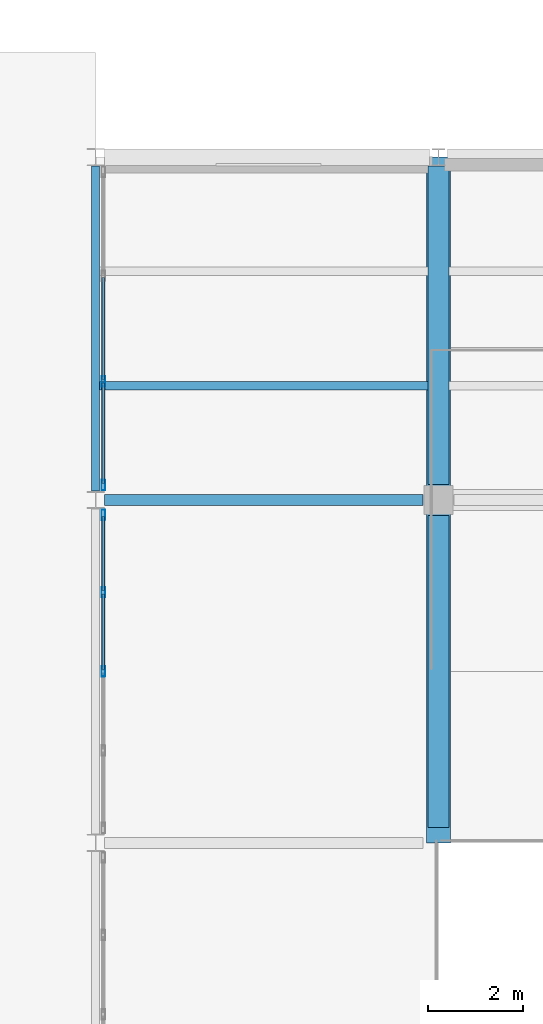
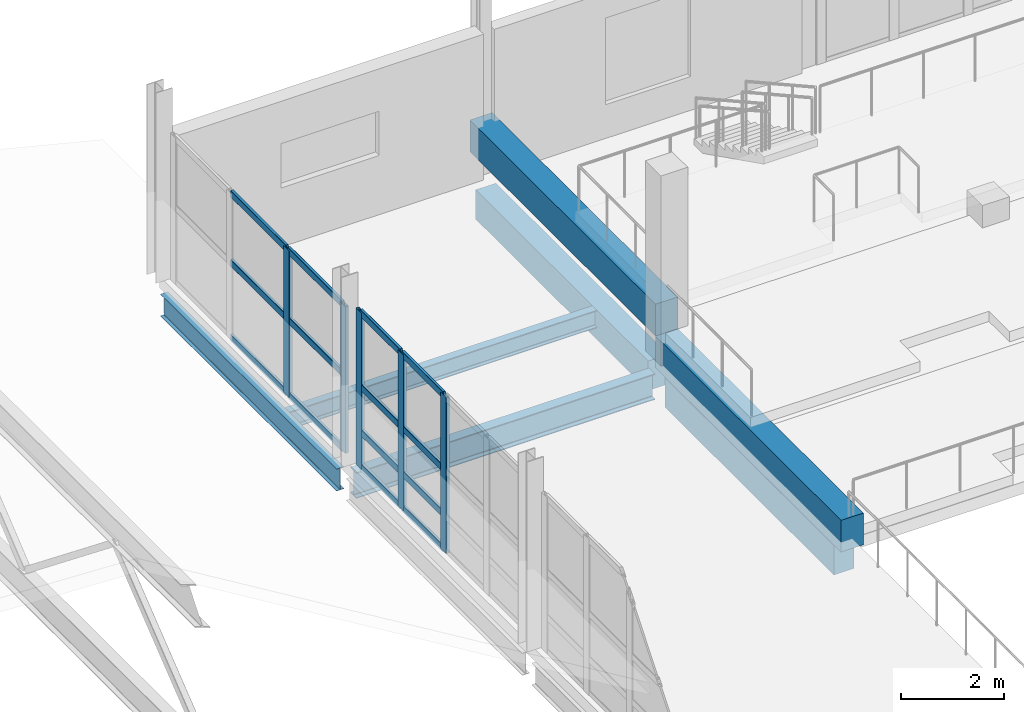
# One storey, part 39 of 123: 19 members, 7 beams, 2 elements without a shape of their own.
"""IFC4 building model written with IfcOpenShell, lengths in metres."""

from ifc_helpers import new_model, si_unit, direction, frame, origin, origin_2d, place, context, subcontext, project, spatial, rectangle, hollow_rectangle, i_section, extrude, material, material_profile, profile_set, type_object, element, aggregate, save


model = new_model("IFC4")

# Units and contexts
model_context = context("Model", 3, precision=1e-05, world=origin(), true_north=direction((0.0, 1.0)))
body_context = subcontext(model_context, "Body", "Model", "MODEL_VIEW")
ifc_project = project(units=[si_unit("LENGTHUNIT", "METRE"), si_unit("AREAUNIT", "SQUARE_METRE"), si_unit("VOLUMEUNIT", "CUBIC_METRE"), si_unit("PLANEANGLEUNIT", "RADIAN"), si_unit("MASSUNIT", "GRAM", prefix="KILO")], contexts=[model_context])

# Site, building, storey
site_placement = place(None, origin())
site = spatial("IfcSite", under=ifc_project, at=site_placement, CompositionType="ELEMENT")
building_placement = place(site_placement, origin())
building = spatial("IfcBuilding", under=site, at=building_placement, Name="Kalmorath City Hall", CompositionType="ELEMENT")
storey_placement = place(building_placement, frame((0.0, 0.0, 10.199951171875)))
storey = spatial("IfcBuildingStorey", under=building, at=storey_placement, Name="L02", CompositionType="ELEMENT", Elevation=10.199951171875)

# Beams
ifc_material_1 = material(Name="Concrete C40/50", Category="concrete")
ifc_material_profile_1 = material_profile(ifc_material_1, rectangle(XDim=0.449951171875, YDim=0.699951171875, at=origin_2d()), Name="RC-BM-450X700")
ifc_profile_set_1 = profile_set([ifc_material_profile_1], Name="Concrete C40/50")
beam_type_1 = type_object("IfcBeamType", Name="Concrete floor beam 450x700", PredefinedType="BEAM", material=ifc_profile_set_1)
beam_1_placement = place(storey_placement, frame((122.39990234375, 29.125, -0.634033203125), z_axis=(0.0, 1.0, 0.0), x_axis=(-1.0, 0.0, 0.0)))
element("IfcBeam", 1, at=beam_1_placement, inside=storey, type_object=beam_type_1, Name="L02 girder CB4 Y18/5-6", PredefinedType="BEAM", context=body_context, shape_type="SweptSolid", body=[
    extrude(rectangle(XDim=0.449951171875, YDim=0.699951171875, at=origin_2d()), origin(), (0.0, 0.0, 1.0), 6.550048828125),
])
beam_2_placement = place(storey_placement, frame((122.39990234375, 36.324951171875, -0.634033203125), z_axis=(0.0, 1.0, 0.0), x_axis=(-1.0, 0.0, 0.0)))
element("IfcBeam", 2, at=beam_2_placement, inside=storey, type_object=beam_type_1, Name="L02 girder CB4 Y18/6-7", PredefinedType="BEAM", context=body_context, shape_type="SweptSolid", body=[
    extrude(rectangle(XDim=0.449951171875, YDim=0.699951171875, at=origin_2d()), origin(), (0.0, 0.0, 1.0), 6.68896484375),
])
ifc_material_2 = material(Name="Concrete C40/50", Category="concrete")
ifc_material_profile_2 = material_profile(ifc_material_2, rectangle(XDim=0.5, YDim=0.75, at=origin_2d()), Name="RC-BM-500X750")
ifc_profile_set_2 = profile_set([ifc_material_profile_2], Name="Concrete C40/50")
beam_type_2 = type_object("IfcBeamType", Name="Concrete floor beam 500x750", PredefinedType="BEAM", material=ifc_profile_set_2)
for number, where, z_axis, x_axis, name in (
    (3, (122.39990234375, 28.800048828125, 0.14013671875), (0.0, 1.0, 0.0), (-1.0, 0.0, 0.0), "L02 gallery raker beam T2 122"),
    (4, (122.39990234375, 36.0, 0.89013671875), (0.0, 1.0, 0.0), (-1.0, 0.0, 0.0), "L02 gallery raker beam T3 122"),
):
    element("IfcBeam", number, at=place(storey_placement, frame(where, z_axis=z_axis, x_axis=x_axis)), inside=storey, type_object=beam_type_2, Name=name, PredefinedType="BEAM", context=body_context, shape_type="SweptSolid", body=[
        extrude(rectangle(XDim=0.5, YDim=0.75, at=origin_2d()), origin(), (0.0, 0.0, 1.0), 7.199951171875),
    ])

# Curtain wall, members
ifc_material_3 = material(Name="Anodised aluminium and laminated glass", Category="aluminium")
curtain_wall_type_1 = type_object("IfcCurtainWallType", Name="Unitised hurricane curtain wall 6651x3696 M1500", PredefinedType="NOTDEFINED", material=ifc_material_3)
curtain_wall_1_placement = place(storey_placement, origin())
curtain_wall_1 = element("IfcCurtainWall", 5, at=curtain_wall_1_placement, inside=storey, type_object=curtain_wall_type_1, Name="L02 curtain wall CW-67X37M15 #122", PredefinedType="NOTDEFINED")
ifc_material_4 = material(Name="Anodised aluminium framing", Category="aluminium")
ifc_material_profile_3 = material_profile(ifc_material_4, hollow_rectangle(XDim=0.074951171875, YDim=0.219970703125, WallThickness=0.00390625, InnerFilletRadius=0.00390625, OuterFilletRadius=0.008056640625, at=origin_2d()), Name="ALU-MUL-220X75X4")
ifc_profile_set_3 = profile_set([ifc_material_profile_3], Name="Anodised aluminium framing")
member_type_1 = type_object("IfcMemberType", Name="Curtain-wall primary mullion 220x75", PredefinedType="MULLION", material=ifc_profile_set_3)
member_1_placement = place(storey_placement, frame((115.360107421875, 32.39990234375, 0.0), z_axis=(0.0, 0.0, 1.0), x_axis=(-1.0, 0.0, 0.0)))
member_1 = element("IfcMember", 6, at=member_1_placement, type_object=member_type_1, Name="CW-67X37M15 mullion 3", PredefinedType="MULLION", context=body_context, shape_type="SweptSolid", body=[
    extrude(hollow_rectangle(XDim=0.074951171875, YDim=0.219970703125, WallThickness=0.00390625, InnerFilletRadius=0.00390625, OuterFilletRadius=0.008056640625, at=origin_2d()), origin(), (0.0, 0.0, 1.0), 3.696044921875),
])
member_2_placement = place(storey_placement, frame((115.360107421875, 34.062744140625, 0.0), z_axis=(0.0, 0.0, 1.0), x_axis=(-1.0, 0.0, 0.0)))
member_2 = element("IfcMember", 7, at=member_2_placement, type_object=member_type_1, Name="CW-67X37M15 mullion 4", PredefinedType="MULLION", context=body_context, shape_type="SweptSolid", body=[
    extrude(hollow_rectangle(XDim=0.074951171875, YDim=0.219970703125, WallThickness=0.00390625, InnerFilletRadius=0.00390625, OuterFilletRadius=0.008056640625, at=origin_2d()), origin(), (0.0, 0.0, 1.0), 3.696044921875),
])
member_3_placement = place(storey_placement, frame((115.360107421875, 35.68798828125, 0.0), z_axis=(0.0, 0.0, 1.0), x_axis=(-1.0, 0.0, 0.0)))
member_3 = element("IfcMember", 8, at=member_3_placement, type_object=member_type_1, Name="CW-67X37M15 mullion 5", PredefinedType="MULLION", context=body_context, shape_type="SweptSolid", body=[
    extrude(hollow_rectangle(XDim=0.074951171875, YDim=0.219970703125, WallThickness=0.00390625, InnerFilletRadius=0.00390625, OuterFilletRadius=0.008056640625, at=origin_2d()), origin(), (0.0, 0.0, 1.0), 3.696044921875),
])

ifc_material_5 = material(Name="Anodised aluminium and laminated glass", Category="aluminium")
curtain_wall_type_2 = type_object("IfcCurtainWallType", Name="Unitised hurricane curtain wall 6651x3471 M2100", PredefinedType="NOTDEFINED", material=ifc_material_5)
curtain_wall_2_placement = place(storey_placement, origin())
curtain_wall_2 = element("IfcCurtainWall", 9, at=curtain_wall_2_placement, inside=storey, type_object=curtain_wall_type_2, Name="L02 curtain wall CW-67X35M21 #123", PredefinedType="NOTDEFINED")
member_4_placement = place(storey_placement, frame((115.360107421875, 36.31201171875, 0.0), z_axis=(0.0, 0.0, 1.0), x_axis=(-1.0, 0.0, 0.0)))
member_4 = element("IfcMember", 10, at=member_4_placement, type_object=member_type_1, Name="CW-67X35M21 mullion 1", PredefinedType="MULLION", context=body_context, shape_type="SweptSolid", body=[
    extrude(hollow_rectangle(XDim=0.074951171875, YDim=0.219970703125, WallThickness=0.00390625, InnerFilletRadius=0.00390625, OuterFilletRadius=0.008056640625, at=origin_2d()), origin(), (0.0, 0.0, 1.0), 3.470947265625),
])
member_5_placement = place(storey_placement, frame((115.360107421875, 38.491455078125, 0.0), z_axis=(0.0, 0.0, 1.0), x_axis=(-1.0, 0.0, 0.0)))
member_5 = element("IfcMember", 11, at=member_5_placement, type_object=member_type_1, Name="CW-67X35M21 mullion 2", PredefinedType="MULLION", context=body_context, shape_type="SweptSolid", body=[
    extrude(hollow_rectangle(XDim=0.074951171875, YDim=0.219970703125, WallThickness=0.00390625, InnerFilletRadius=0.00390625, OuterFilletRadius=0.008056640625, at=origin_2d()), origin(), (0.0, 0.0, 1.0), 3.470947265625),
])

# Member
ifc_material_6 = material(Name="Anodised aluminium framing", Category="aluminium")
ifc_material_profile_4 = material_profile(ifc_material_6, hollow_rectangle(XDim=0.06494140625, YDim=0.159912109375, WallThickness=0.00390625, InnerFilletRadius=0.00390625, OuterFilletRadius=0.008056640625, at=origin_2d()), Name="ALU-TRN-160X65X4")
ifc_profile_set_4 = profile_set([ifc_material_profile_4], Name="Anodised aluminium framing")
member_type_2 = type_object("IfcMemberType", Name="Curtain-wall primary transom 160x65", PredefinedType="USERDEFINED", material=ifc_profile_set_4)
member_6_placement = place(storey_placement, frame((115.360107421875, 32.4375, 0.032470703125), z_axis=(0.0, 1.0, 0.0), x_axis=(-1.0, 0.0, 0.0)))
member_6 = element("IfcMember", 12, at=member_6_placement, type_object=member_type_2, Name="CW-67X37M15 transom 3.1", ObjectType="TRANSOM", PredefinedType="USERDEFINED", context=body_context, shape_type="SweptSolid", body=[
    extrude(hollow_rectangle(XDim=0.06494140625, YDim=0.159912109375, WallThickness=0.00390625, InnerFilletRadius=0.00390625, OuterFilletRadius=0.008056640625, at=origin_2d()), origin(), (0.0, 0.0, 1.0), 1.587646484375),
])

member_7_placement = place(storey_placement, frame((115.360107421875, 32.4375, 0.85009765625), z_axis=(0.0, 1.0, 0.0), x_axis=(-1.0, 0.0, 0.0)))
member_7 = element("IfcMember", 13, at=member_7_placement, type_object=member_type_2, Name="CW-67X37M15 transom 3.2", ObjectType="TRANSOM", PredefinedType="USERDEFINED", context=body_context, shape_type="SweptSolid", body=[
    extrude(hollow_rectangle(XDim=0.06494140625, YDim=0.159912109375, WallThickness=0.00390625, InnerFilletRadius=0.00390625, OuterFilletRadius=0.008056640625, at=origin_2d()), origin(), (0.0, 0.0, 1.0), 1.587646484375),
])

member_8_placement = place(storey_placement, frame((115.360107421875, 32.4375, 1.922119140625), z_axis=(0.0, 1.0, 0.0), x_axis=(-1.0, 0.0, 0.0)))
member_8 = element("IfcMember", 14, at=member_8_placement, type_object=member_type_2, Name="CW-67X37M15 transom 3.3", ObjectType="TRANSOM", PredefinedType="USERDEFINED", context=body_context, shape_type="SweptSolid", body=[
    extrude(hollow_rectangle(XDim=0.06494140625, YDim=0.159912109375, WallThickness=0.00390625, InnerFilletRadius=0.00390625, OuterFilletRadius=0.008056640625, at=origin_2d()), origin(), (0.0, 0.0, 1.0), 1.587646484375),
])

member_9_placement = place(storey_placement, frame((115.360107421875, 32.4375, 3.66357421875), z_axis=(0.0, 1.0, 0.0), x_axis=(-1.0, 0.0, 0.0)))
member_9 = element("IfcMember", 15, at=member_9_placement, type_object=member_type_2, Name="CW-67X37M15 transom 3.4", ObjectType="TRANSOM", PredefinedType="USERDEFINED", context=body_context, shape_type="SweptSolid", body=[
    extrude(hollow_rectangle(XDim=0.06494140625, YDim=0.159912109375, WallThickness=0.00390625, InnerFilletRadius=0.00390625, OuterFilletRadius=0.008056640625, at=origin_2d()), origin(), (0.0, 0.0, 1.0), 1.587646484375),
])

member_10_placement = place(storey_placement, frame((115.360107421875, 34.100341796875, 0.032470703125), z_axis=(0.0, 1.0, 0.0), x_axis=(-1.0, 0.0, 0.0)))
member_10 = element("IfcMember", 16, at=member_10_placement, type_object=member_type_2, Name="CW-67X37M15 transom 4.1", ObjectType="TRANSOM", PredefinedType="USERDEFINED", context=body_context, shape_type="SweptSolid", body=[
    extrude(hollow_rectangle(XDim=0.06494140625, YDim=0.159912109375, WallThickness=0.00390625, InnerFilletRadius=0.00390625, OuterFilletRadius=0.008056640625, at=origin_2d()), origin(), (0.0, 0.0, 1.0), 1.550048828125),
])

member_11_placement = place(storey_placement, frame((115.360107421875, 34.100341796875, 0.85009765625), z_axis=(0.0, 1.0, 0.0), x_axis=(-1.0, 0.0, 0.0)))
member_11 = element("IfcMember", 17, at=member_11_placement, type_object=member_type_2, Name="CW-67X37M15 transom 4.2", ObjectType="TRANSOM", PredefinedType="USERDEFINED", context=body_context, shape_type="SweptSolid", body=[
    extrude(hollow_rectangle(XDim=0.06494140625, YDim=0.159912109375, WallThickness=0.00390625, InnerFilletRadius=0.00390625, OuterFilletRadius=0.008056640625, at=origin_2d()), origin(), (0.0, 0.0, 1.0), 1.550048828125),
])

member_12_placement = place(storey_placement, frame((115.360107421875, 34.100341796875, 1.922119140625), z_axis=(0.0, 1.0, 0.0), x_axis=(-1.0, 0.0, 0.0)))
member_12 = element("IfcMember", 18, at=member_12_placement, type_object=member_type_2, Name="CW-67X37M15 transom 4.3", ObjectType="TRANSOM", PredefinedType="USERDEFINED", context=body_context, shape_type="SweptSolid", body=[
    extrude(hollow_rectangle(XDim=0.06494140625, YDim=0.159912109375, WallThickness=0.00390625, InnerFilletRadius=0.00390625, OuterFilletRadius=0.008056640625, at=origin_2d()), origin(), (0.0, 0.0, 1.0), 1.550048828125),
])

member_13_placement = place(storey_placement, frame((115.360107421875, 34.100341796875, 3.66357421875), z_axis=(0.0, 1.0, 0.0), x_axis=(-1.0, 0.0, 0.0)))
member_13 = element("IfcMember", 19, at=member_13_placement, type_object=member_type_2, Name="CW-67X37M15 transom 4.4", ObjectType="TRANSOM", PredefinedType="USERDEFINED", context=body_context, shape_type="SweptSolid", body=[
    extrude(hollow_rectangle(XDim=0.06494140625, YDim=0.159912109375, WallThickness=0.00390625, InnerFilletRadius=0.00390625, OuterFilletRadius=0.008056640625, at=origin_2d()), origin(), (0.0, 0.0, 1.0), 1.550048828125),
])

aggregate(curtain_wall_1, [member_1, member_2, member_3, member_6, member_7, member_8, member_9, member_10, member_11, member_12, member_13])

member_14_placement = place(storey_placement, frame((115.360107421875, 36.349609375, 0.032470703125), z_axis=(0.0, 1.0, 0.0), x_axis=(-1.0, 0.0, 0.0)))
member_14 = element("IfcMember", 20, at=member_14_placement, type_object=member_type_2, Name="CW-67X35M21 transom 1.1", ObjectType="TRANSOM", PredefinedType="USERDEFINED", context=body_context, shape_type="SweptSolid", body=[
    extrude(hollow_rectangle(XDim=0.06494140625, YDim=0.159912109375, WallThickness=0.00390625, InnerFilletRadius=0.00390625, OuterFilletRadius=0.008056640625, at=origin_2d()), origin(), (0.0, 0.0, 1.0), 2.1044921875),
])

member_15_placement = place(storey_placement, frame((115.360107421875, 36.349609375, 1.804931640625), z_axis=(0.0, 1.0, 0.0), x_axis=(-1.0, 0.0, 0.0)))
member_15 = element("IfcMember", 21, at=member_15_placement, type_object=member_type_2, Name="CW-67X35M21 transom 1.2", ObjectType="TRANSOM", PredefinedType="USERDEFINED", context=body_context, shape_type="SweptSolid", body=[
    extrude(hollow_rectangle(XDim=0.06494140625, YDim=0.159912109375, WallThickness=0.00390625, InnerFilletRadius=0.00390625, OuterFilletRadius=0.008056640625, at=origin_2d()), origin(), (0.0, 0.0, 1.0), 2.1044921875),
])

member_16_placement = place(storey_placement, frame((115.360107421875, 36.349609375, 3.4384765625), z_axis=(0.0, 1.0, 0.0), x_axis=(-1.0, 0.0, 0.0)))
member_16 = element("IfcMember", 22, at=member_16_placement, type_object=member_type_2, Name="CW-67X35M21 transom 1.3", ObjectType="TRANSOM", PredefinedType="USERDEFINED", context=body_context, shape_type="SweptSolid", body=[
    extrude(hollow_rectangle(XDim=0.06494140625, YDim=0.159912109375, WallThickness=0.00390625, InnerFilletRadius=0.00390625, OuterFilletRadius=0.008056640625, at=origin_2d()), origin(), (0.0, 0.0, 1.0), 2.1044921875),
])

member_17_placement = place(storey_placement, frame((115.360107421875, 38.529052734375, 0.032470703125), z_axis=(0.0, 1.0, 0.0), x_axis=(-1.0, 0.0, 0.0)))
member_17 = element("IfcMember", 23, at=member_17_placement, type_object=member_type_2, Name="CW-67X35M21 transom 2.1", ObjectType="TRANSOM", PredefinedType="USERDEFINED", context=body_context, shape_type="SweptSolid", body=[
    extrude(hollow_rectangle(XDim=0.06494140625, YDim=0.159912109375, WallThickness=0.00390625, InnerFilletRadius=0.00390625, OuterFilletRadius=0.008056640625, at=origin_2d()), origin(), (0.0, 0.0, 1.0), 2.141845703125),
])

member_18_placement = place(storey_placement, frame((115.360107421875, 38.529052734375, 1.804931640625), z_axis=(0.0, 1.0, 0.0), x_axis=(-1.0, 0.0, 0.0)))
member_18 = element("IfcMember", 24, at=member_18_placement, type_object=member_type_2, Name="CW-67X35M21 transom 2.2", ObjectType="TRANSOM", PredefinedType="USERDEFINED", context=body_context, shape_type="SweptSolid", body=[
    extrude(hollow_rectangle(XDim=0.06494140625, YDim=0.159912109375, WallThickness=0.00390625, InnerFilletRadius=0.00390625, OuterFilletRadius=0.008056640625, at=origin_2d()), origin(), (0.0, 0.0, 1.0), 2.141845703125),
])

member_19_placement = place(storey_placement, frame((115.360107421875, 38.529052734375, 3.4384765625), z_axis=(0.0, 1.0, 0.0), x_axis=(-1.0, 0.0, 0.0)))
member_19 = element("IfcMember", 25, at=member_19_placement, type_object=member_type_2, Name="CW-67X35M21 transom 2.3", ObjectType="TRANSOM", PredefinedType="USERDEFINED", context=body_context, shape_type="SweptSolid", body=[
    extrude(hollow_rectangle(XDim=0.06494140625, YDim=0.159912109375, WallThickness=0.00390625, InnerFilletRadius=0.00390625, OuterFilletRadius=0.008056640625, at=origin_2d()), origin(), (0.0, 0.0, 1.0), 2.141845703125),
])

aggregate(curtain_wall_2, [member_4, member_5, member_14, member_15, member_16, member_17, member_18, member_19])

# Beams
ifc_material_7 = material(Name="Steel ASTM A992 Grade 50", Category="steel")
ifc_material_profile_5 = material_profile(ifc_material_7, i_section(OverallWidth=0.180908203125, OverallDepth=0.4169921875, WebThickness=0.010986328125, FlangeThickness=0.018310546875, FilletRadius=0.012939453125, at=origin_2d()), Name="W16X57")
ifc_profile_set_5 = profile_set([ifc_material_profile_5], Name="Steel ASTM A992 Grade 50")
beam_type_3 = type_object("IfcBeamType", Name="Steel composite joist W16X57", PredefinedType="JOIST", material=ifc_profile_set_5)
beam_3_placement = place(storey_placement, frame((115.282470703125, 38.39990234375, -0.492431640625), z_axis=(1.0, 0.0, 0.0), x_axis=(0.0, 1.0, 0.0)))
element("IfcBeam", 26, at=beam_3_placement, inside=storey, type_object=beam_type_3, Name="L02 joist SJ5 17.6.1", PredefinedType="JOIST", context=body_context, shape_type="SweptSolid", body=[
    extrude(i_section(OverallWidth=0.180908203125, OverallDepth=0.4169921875, WebThickness=0.010986328125, FlangeThickness=0.018310546875, FilletRadius=0.012939453125, at=origin_2d()), origin(), (0.0, 0.0, 1.0), 6.892578125),
])
ifc_material_8 = material(Name="Steel ASTM A992 Grade 50", Category="steel")
ifc_material_profile_6 = material_profile(ifc_material_8, i_section(OverallWidth=0.22900390625, OverallDepth=0.612060546875, WebThickness=0.011962890625, FlangeThickness=0.01953125, FilletRadius=0.01611328125, at=origin_2d()), Name="W24X84")
ifc_profile_set_6 = profile_set([ifc_material_profile_6], Name="Steel ASTM A992 Grade 50")
beam_type_4 = type_object("IfcBeamType", Name="Steel floor girder W24X84", PredefinedType="BEAM", material=ifc_profile_set_6)
beam_4_placement = place(storey_placement, frame((115.386962890625, 36.0, -0.58984375), z_axis=(1.0, 0.0, 0.0), x_axis=(0.0, 1.0, 0.0)))
element("IfcBeam", 27, at=beam_4_placement, inside=storey, type_object=beam_type_4, Name="L02 girder SG8 X17-18/6", PredefinedType="BEAM", context=body_context, shape_type="SweptSolid", body=[
    extrude(i_section(OverallWidth=0.22900390625, OverallDepth=0.612060546875, WebThickness=0.011962890625, FlangeThickness=0.01953125, FilletRadius=0.01611328125, at=origin_2d()), origin(), (0.0, 0.0, 1.0), 6.68798828125),
])
ifc_material_9 = material(Name="Steel ASTM A992 Grade 50", Category="steel")
ifc_material_profile_7 = material_profile(ifc_material_9, i_section(OverallWidth=0.1650390625, OverallDepth=0.52490234375, WebThickness=0.0087890625, FlangeThickness=0.011474609375, FilletRadius=0.014892578125, at=origin_2d()), Name="W21X44")
ifc_profile_set_7 = profile_set([ifc_material_profile_7], Name="Steel ASTM A992 Grade 50")
beam_type_5 = type_object("IfcBeamType", Name="Steel spandrel beam W21X44", PredefinedType="SPANDREL", material=ifc_profile_set_7)
beam_5_placement = place(storey_placement, frame((115.199951171875, 36.18603515625, -0.54638671875), z_axis=(0.0, 1.0, 0.0), x_axis=(-1.0, 0.0, 0.0)))
element("IfcBeam", 28, at=beam_5_placement, inside=storey, type_object=beam_type_5, Name="L02 girder SB4 Y17/6-7", PredefinedType="SPANDREL", context=body_context, shape_type="SweptSolid", body=[
    extrude(i_section(OverallWidth=0.1650390625, OverallDepth=0.52490234375, WebThickness=0.0087890625, FlangeThickness=0.011474609375, FilletRadius=0.014892578125, at=origin_2d()), origin(), (0.0, 0.0, 1.0), 6.827880859375),
])

save(model, "model.ifc")
